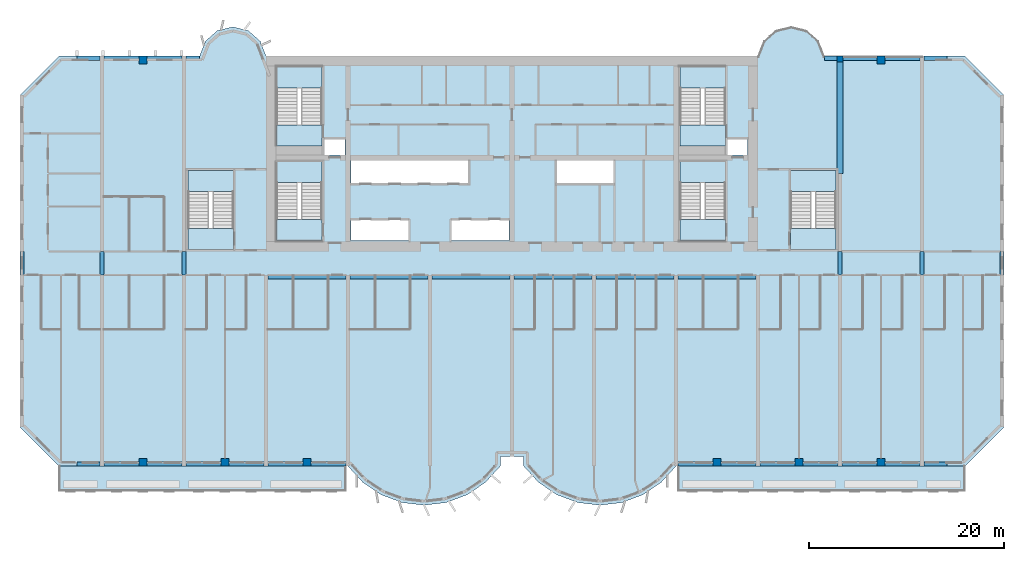
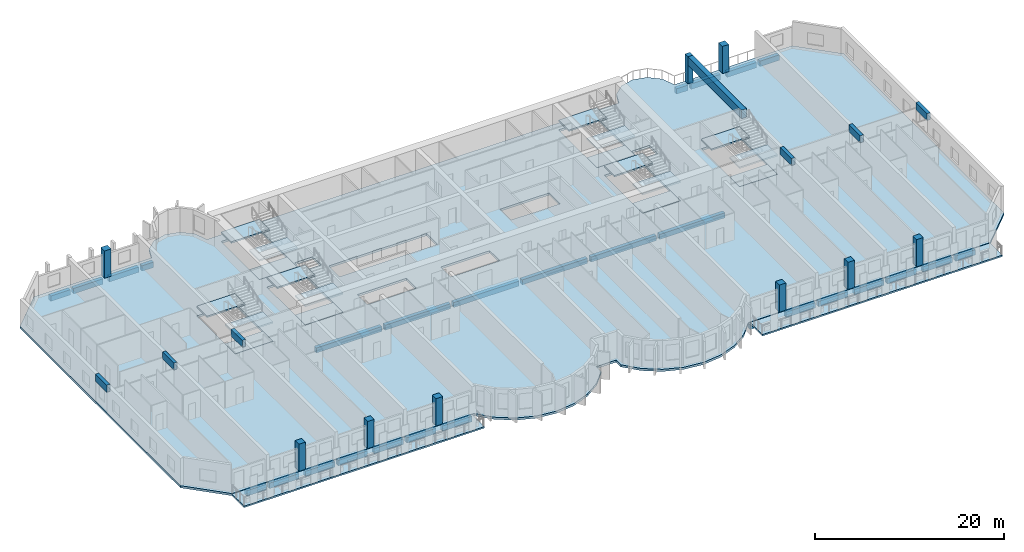
# One storey, part 1 of 14: 35 beams, 21 slabs, 9 columns, 6 elements without a shape of their own.
"""IFC4 building model written with IfcOpenShell, lengths in metres."""

from ifc_helpers import new_model, si_unit, direction, frame, origin, origin_2d, place, context, subcontext, project, spatial, polyline, rectangle, outline, extrude, source, transform, mapped, material, layer, layer_set, material_profile, profile_set, type_object, element, aggregate, save


model = new_model("IFC4")

# Units and contexts
model_context = context("Model", 3, precision=1e-05, world=origin(), true_north=direction((0.0, 1.0)))
body_context = subcontext(model_context, "Body", "Model", "MODEL_VIEW")
ifc_project = project(units=[si_unit("LENGTHUNIT", "METRE"), si_unit("AREAUNIT", "SQUARE_METRE"), si_unit("VOLUMEUNIT", "CUBIC_METRE"), si_unit("PLANEANGLEUNIT", "RADIAN"), si_unit("MASSUNIT", "GRAM", prefix="KILO")], contexts=[model_context])

# Site, building, storey
site_placement = place(None, origin())
site = spatial("IfcSite", under=ifc_project, at=site_placement, CompositionType="ELEMENT")
building_placement = place(site_placement, origin())
building = spatial("IfcBuilding", under=site, at=building_placement, Name="Vanashikhar Sky Hotel", CompositionType="ELEMENT")
storey_placement = place(building_placement, frame((0.0, 0.0, 58.199951171875)))
storey = spatial("IfcBuildingStorey", under=building, at=storey_placement, Name="L13", CompositionType="ELEMENT", Elevation=58.199951171875)

# Columns
ifc_material_1 = material(Name="Concrete M70", Category="concrete")
ifc_material_profile_1 = material_profile(ifc_material_1, rectangle(XDim=0.60009765625, YDim=0.60009765625, at=origin_2d()))
ifc_profile_set_1 = profile_set([ifc_material_profile_1], Name="RC 600x600 column Concrete M70")
column_type_1 = type_object("IfcColumnType", Name="RC 600x600 column Concrete M70", PredefinedType="COLUMN", material=ifc_profile_set_1)
shared_shape_1 = source(origin(), body_context, "Body", "SweptSolid", [
    extrude(rectangle(XDim=0.60009765625, YDim=0.60009765625, at=origin_2d()), origin(), (0.0, 0.0, 1.0), 3.52001953125),
])
column_placement = place(storey_placement, frame((84.0, 41.699951171875, 0.0), z_axis=(0.0, 0.0, 1.0), x_axis=(1.0, 0.0, 0.0)))
element("IfcColumn", 1, at=column_placement, inside=storey, type_object=column_type_1, Name="CL-L13-CRF", PredefinedType="COLUMN", context=body_context, shape_type="MappedRepresentation", body=[
    mapped(shared_shape_1, transform((0.0, 0.0, 0.0), scale=1.0)),
])
ifc_material_profile_2 = material_profile(ifc_material_1, rectangle(XDim=0.800048828125, YDim=0.800048828125, at=origin_2d()))
ifc_profile_set_2 = profile_set([ifc_material_profile_2], Name="RC 800x800 column Concrete M70")
column_type_2 = type_object("IfcColumnType", Name="RC 800x800 column Concrete M70", PredefinedType="COLUMN", material=ifc_profile_set_2)
shared_shape_2 = source(origin(), body_context, "Body", "SweptSolid", [
    extrude(rectangle(XDim=0.800048828125, YDim=0.800048828125, at=origin_2d()), origin(), (0.0, 0.0, 1.0), 3.52001953125),
])
for number, where, z_axis, x_axis, name in (
    (2, (12.60009765625, 0.39990234375, 0.0), (0.0, 0.0, 1.0), (1.0, 0.0, 0.0), "CL-L13-CF02"),
    (3, (21.0, 0.39990234375, 0.0), (0.0, 0.0, 1.0), (1.0, 0.0, 0.0), "CL-L13-CF03"),
    (4, (29.39990234375, 0.39990234375, 0.0), (0.0, 0.0, 1.0), (1.0, 0.0, 0.0), "CL-L13-CF04"),
    (5, (71.39990234375, 0.39990234375, 0.0), (0.0, 0.0, 1.0), (1.0, 0.0, 0.0), "CL-L13-CF09"),
    (6, (79.800048828125, 0.39990234375, 0.0), (0.0, 0.0, 1.0), (1.0, 0.0, 0.0), "CL-L13-CF10"),
    (7, (88.199951171875, 0.39990234375, 0.0), (0.0, 0.0, 1.0), (1.0, 0.0, 0.0), "CL-L13-CF11"),
    (8, (12.60009765625, 41.60009765625, 0.0), (0.0, 0.0, 1.0), (1.0, 0.0, 0.0), "CL-L13-CR02"),
    (9, (88.199951171875, 41.60009765625, 0.0), (0.0, 0.0, 1.0), (1.0, 0.0, 0.0), "CL-L13-CR11"),
):
    element("IfcColumn", number, at=place(storey_placement, frame(where, z_axis=z_axis, x_axis=x_axis)), inside=storey, type_object=column_type_2, Name=name, PredefinedType="COLUMN", context=body_context, shape_type="MappedRepresentation", body=[
        mapped(shared_shape_2, transform((0.0, 0.0, 0.0), scale=1.0)),
    ])

# Beams
ifc_material_2 = material(Name="Concrete M50", Category="concrete")
ifc_material_profile_3 = material_profile(ifc_material_2, rectangle(XDim=0.60009765625, YDim=1.10009765625, at=origin_2d()))
ifc_profile_set_3 = profile_set([ifc_material_profile_3], Name="RC 600x1100 beam Concrete M50")
beam_type_1 = type_object("IfcBeamType", Name="RC 600x1100 beam Concrete M50", PredefinedType="BEAM", material=ifc_profile_set_3)
shared_shape_3 = source(origin(), body_context, "Body", "SweptSolid", [
    extrude(rectangle(XDim=0.60009765625, YDim=1.10009765625, at=origin_2d()), origin(), (0.0, 0.0, 1.0), 11.39990234375),
])
beam_1_placement = place(storey_placement, frame((84.0, 30.0, 2.969970703125), z_axis=(0.0, 1.0, 0.0), x_axis=(-1.0, 0.0, 0.0)))
element("IfcBeam", 10, at=beam_1_placement, inside=storey, type_object=beam_type_1, Name="LB-L13-XW11-O1", PredefinedType="BEAM", context=body_context, shape_type="MappedRepresentation", body=[
    mapped(shared_shape_3, transform((0.0, 0.0, 0.0), scale=1.0)),
])
ifc_material_profile_4 = material_profile(ifc_material_2, rectangle(XDim=0.39990234375, YDim=0.89990234375, at=origin_2d()))
ifc_profile_set_4 = profile_set([ifc_material_profile_4], Name="RC 400x900 beam Concrete M50")
beam_type_2 = type_object("IfcBeamType", Name="RC 400x900 beam Concrete M50", PredefinedType="LINTEL", material=ifc_profile_set_4)
shared_shape_4 = source(origin(), body_context, "Body", "SweptSolid", [
    extrude(rectangle(XDim=0.39990234375, YDim=0.89990234375, at=origin_2d()), origin(), (0.0, 0.0, 1.0), 2.39990234375),
])
for number, where, z_axis, x_axis, name in (
    (11, (0.199951171875, 19.60009765625, 3.070068359375), (0.0, 1.0, 0.0), (-1.0, 0.0, 0.0), "LB-L13-XW01"),
    (12, (8.39990234375, 19.60009765625, 3.070068359375), (0.0, 1.0, 0.0), (-1.0, 0.0, 0.0), "LB-L13-XW02"),
    (13, (16.800048828125, 19.60009765625, 3.070068359375), (0.0, 1.0, 0.0), (-1.0, 0.0, 0.0), "LB-L13-XW03"),
    (14, (84.0, 19.60009765625, 3.070068359375), (0.0, 1.0, 0.0), (-1.0, 0.0, 0.0), "LB-L13-XW11"),
    (15, (92.39990234375, 19.60009765625, 3.070068359375), (0.0, 1.0, 0.0), (-1.0, 0.0, 0.0), "LB-L13-XW12"),
    (16, (100.60009765625, 19.60009765625, 3.070068359375), (0.0, 1.0, 0.0), (-1.0, 0.0, 0.0), "LB-L13-XW13"),
):
    element("IfcBeam", number, at=place(storey_placement, frame(where, z_axis=z_axis, x_axis=x_axis)), inside=storey, type_object=beam_type_2, Name=name, PredefinedType="LINTEL", context=body_context, shape_type="MappedRepresentation", body=[
        mapped(shared_shape_4, transform((0.0, 0.0, 0.0), scale=1.0)),
    ])
ifc_material_profile_5 = material_profile(ifc_material_2, rectangle(XDim=0.449951171875, YDim=0.699951171875, at=origin_2d()))
ifc_profile_set_5 = profile_set([ifc_material_profile_5], Name="RC 450x700 beam Concrete M50")
beam_type_3 = type_object("IfcBeamType", Name="RC 450x700 beam Concrete M50", PredefinedType="BEAM", material=ifc_profile_set_5)
shared_shape_5 = source(origin(), body_context, "Body", "SweptSolid", [
    extrude(rectangle(XDim=0.449951171875, YDim=0.699951171875, at=origin_2d()), origin(), (0.0, 0.0, 1.0), 3.599853515625),
])
for number, where, z_axis, x_axis, name in (
    (17, (8.60009765625, 0.22509765625, -0.6298828125), (1.0, 0.0, 0.0), (0.0, 1.0, 0.0), "EB-L13-F01"),
    (18, (29.800048828125, 0.22509765625, -0.6298828125), (1.0, 0.0, 0.0), (0.0, 1.0, 0.0), "EB-L13-F06"),
    (19, (71.800048828125, 0.22509765625, -0.6298828125), (1.0, 0.0, 0.0), (0.0, 1.0, 0.0), "EB-L13-F09"),
    (20, (75.800048828125, 0.22509765625, -0.6298828125), (1.0, 0.0, 0.0), (0.0, 1.0, 0.0), "EB-L13-F10"),
    (21, (88.60009765625, 0.22509765625, -0.6298828125), (1.0, 0.0, 0.0), (0.0, 1.0, 0.0), "EB-L13-F13"),
    (22, (8.60009765625, 41.77490234375, -0.6298828125), (1.0, 0.0, 0.0), (0.0, 1.0, 0.0), "EB-L13-R01"),
    (23, (88.60009765625, 41.77490234375, -0.6298828125), (1.0, 0.0, 0.0), (0.0, 1.0, 0.0), "EB-L13-R06"),
):
    element("IfcBeam", number, at=place(storey_placement, frame(where, z_axis=z_axis, x_axis=x_axis)), inside=storey, type_object=beam_type_3, Name=name, PredefinedType="BEAM", context=body_context, shape_type="MappedRepresentation", body=[
        mapped(shared_shape_5, transform((0.0, 0.0, 0.0), scale=1.0)),
    ])
shared_shape_6 = source(origin(), body_context, "Body", "SweptSolid", [
    extrude(rectangle(XDim=0.449951171875, YDim=0.699951171875, at=origin_2d()), origin(), (0.0, 0.0, 1.0), 3.60009765625),
])
for number, where, z_axis, x_axis, name in (
    (24, (13.0, 0.22509765625, -0.6298828125), (1.0, 0.0, 0.0), (0.0, 1.0, 0.0), "EB-L13-F02"),
    (25, (17.0, 0.22509765625, -0.6298828125), (1.0, 0.0, 0.0), (0.0, 1.0, 0.0), "EB-L13-F03"),
    (26, (21.39990234375, 0.22509765625, -0.6298828125), (1.0, 0.0, 0.0), (0.0, 1.0, 0.0), "EB-L13-F04"),
    (27, (25.39990234375, 0.22509765625, -0.6298828125), (1.0, 0.0, 0.0), (0.0, 1.0, 0.0), "EB-L13-F05"),
    (28, (67.39990234375, 0.22509765625, -0.6298828125), (1.0, 0.0, 0.0), (0.0, 1.0, 0.0), "EB-L13-F08"),
    (29, (80.199951171875, 0.22509765625, -0.6298828125), (1.0, 0.0, 0.0), (0.0, 1.0, 0.0), "EB-L13-F11"),
    (30, (84.199951171875, 0.22509765625, -0.6298828125), (1.0, 0.0, 0.0), (0.0, 1.0, 0.0), "EB-L13-F12"),
    (31, (13.0, 41.77490234375, -0.6298828125), (1.0, 0.0, 0.0), (0.0, 1.0, 0.0), "EB-L13-R02"),
    (32, (84.199951171875, 41.77490234375, -0.6298828125), (1.0, 0.0, 0.0), (0.0, 1.0, 0.0), "EB-L13-R05"),
):
    element("IfcBeam", number, at=place(storey_placement, frame(where, z_axis=z_axis, x_axis=x_axis)), inside=storey, type_object=beam_type_3, Name=name, PredefinedType="BEAM", context=body_context, shape_type="MappedRepresentation", body=[
        mapped(shared_shape_6, transform((0.0, 0.0, 0.0), scale=1.0)),
    ])
ifc_material_profile_6 = material_profile(ifc_material_2, rectangle(XDim=0.449951171875, YDim=0.699951171875, at=origin_2d()))
ifc_profile_set_6 = profile_set([ifc_material_profile_6], Name="RC 450x700 cantilever beam Concrete M50")
beam_type_4 = type_object("IfcBeamType", Name="RC 450x700 cantilever beam Concrete M50", PredefinedType="SPANDREL", material=ifc_profile_set_6)
shared_shape_7 = source(origin(), body_context, "Body", "SweptSolid", [
    extrude(rectangle(XDim=0.449951171875, YDim=0.699951171875, at=origin_2d()), origin(), (0.0, 0.0, 1.0), 2.3798828125),
])
for number, where, z_axis, x_axis, name in (
    (33, (5.820068359375, 0.22509765625, -0.6298828125), (1.0, 0.0, 0.0), (0.0, 1.0, 0.0), "EB-L13-F07"),
    (34, (92.60009765625, 0.22509765625, -0.6298828125), (1.0, 0.0, 0.0), (0.0, 1.0, 0.0), "EB-L13-F14"),
    (35, (5.820068359375, 41.77490234375, -0.6298828125), (1.0, 0.0, 0.0), (0.0, 1.0, 0.0), "EB-L13-R03"),
    (36, (92.60009765625, 41.77490234375, -0.6298828125), (1.0, 0.0, 0.0), (0.0, 1.0, 0.0), "EB-L13-R08"),
):
    element("IfcBeam", number, at=place(storey_placement, frame(where, z_axis=z_axis, x_axis=x_axis)), inside=storey, type_object=beam_type_4, Name=name, PredefinedType="SPANDREL", context=body_context, shape_type="MappedRepresentation", body=[
        mapped(shared_shape_7, transform((0.0, 0.0, 0.0), scale=1.0)),
    ])
shared_shape_8 = source(origin(), body_context, "Body", "SweptSolid", [
    extrude(rectangle(XDim=0.449951171875, YDim=0.699951171875, at=origin_2d()), origin(), (0.0, 0.0, 1.0), 1.39990234375),
])
beam_2_placement = place(storey_placement, frame((17.0, 41.77490234375, -0.6298828125), z_axis=(1.0, 0.0, 0.0), x_axis=(0.0, 1.0, 0.0)))
element("IfcBeam", 37, at=beam_2_placement, inside=storey, type_object=beam_type_4, Name="EB-L13-R04", PredefinedType="SPANDREL", context=body_context, shape_type="MappedRepresentation", body=[
    mapped(shared_shape_8, transform((0.0, 0.0, 0.0), scale=1.0)),
])
shared_shape_9 = source(origin(), body_context, "Body", "SweptSolid", [
    extrude(rectangle(XDim=0.449951171875, YDim=0.699951171875, at=origin_2d()), origin(), (0.0, 0.0, 1.0), 1.400146484375),
])
beam_3_placement = place(storey_placement, frame((82.39990234375, 41.77490234375, -0.6298828125), z_axis=(1.0, 0.0, 0.0), x_axis=(0.0, 1.0, 0.0)))
element("IfcBeam", 38, at=beam_3_placement, inside=storey, type_object=beam_type_4, Name="EB-L13-R07", PredefinedType="SPANDREL", context=body_context, shape_type="MappedRepresentation", body=[
    mapped(shared_shape_9, transform((0.0, 0.0, 0.0), scale=1.0)),
])
ifc_material_profile_7 = material_profile(ifc_material_2, rectangle(XDim=0.449951171875, YDim=0.64990234375, at=origin_2d()))
ifc_profile_set_7 = profile_set([ifc_material_profile_7], Name="RC 450x650 beam Concrete M50")
beam_type_5 = type_object("IfcBeamType", Name="RC 450x650 beam Concrete M50", PredefinedType="BEAM", material=ifc_profile_set_7)
shared_shape_10 = source(origin(), body_context, "Body", "SweptSolid", [
    extrude(rectangle(XDim=0.449951171875, YDim=0.64990234375, at=origin_2d()), origin(), (0.0, 0.0, 1.0), 8.0),
])
for number, where, z_axis, x_axis, name in (
    (39, (25.39990234375, 19.375, -0.60498046875), (1.0, 0.0, 0.0), (0.0, 1.0, 0.0), "CB-L13-01"),
    (40, (33.800048828125, 19.375, -0.60498046875), (1.0, 0.0, 0.0), (0.0, 1.0, 0.0), "CB-L13-02"),
    (41, (42.199951171875, 19.375, -0.60498046875), (1.0, 0.0, 0.0), (0.0, 1.0, 0.0), "CB-L13-03"),
    (42, (50.60009765625, 19.375, -0.60498046875), (1.0, 0.0, 0.0), (0.0, 1.0, 0.0), "CB-L13-04"),
    (43, (59.0, 19.375, -0.60498046875), (1.0, 0.0, 0.0), (0.0, 1.0, 0.0), "CB-L13-05"),
    (44, (67.39990234375, 19.375, -0.60498046875), (1.0, 0.0, 0.0), (0.0, 1.0, 0.0), "CB-L13-06"),
):
    element("IfcBeam", number, at=place(storey_placement, frame(where, z_axis=z_axis, x_axis=x_axis)), inside=storey, type_object=beam_type_5, Name=name, PredefinedType="BEAM", context=body_context, shape_type="MappedRepresentation", body=[
        mapped(shared_shape_10, transform((0.0, 0.0, 0.0), scale=1.0)),
    ])

# Slabs
ifc_material_3 = material(Name="Concrete M40", Category="concrete")
ifc_layer_1 = layer(ifc_material_3, 0.280029296875)
ifc_layer_set_1 = layer_set([ifc_layer_1], Name="Floor slab 280 mm")
slab_type_1 = type_object("IfcSlabType", Name="Floor slab 280 mm", PredefinedType="FLOOR", material=ifc_layer_set_1)
shared_shape_11 = source(origin(), body_context, "Body", "SweptSolid", [
    extrude(outline(polyline([(49.199951171875, 0.0), (49.199951171875, 1.0), (51.60009765625, 1.0), (51.60009765625, 0.0), (53.133056640625, -1.674072265625), (55.01708984375, -2.94189453125), (57.14599609375, -3.73193359375), (59.39990234375, -4.0), (61.654052734375, -3.73193359375), (63.782958984375, -2.94189453125), (65.6669921875, -1.674072265625), (67.199951171875, 0.0), (96.800048828125, 0.0), (100.800048828125, 4.0), (100.800048828125, 38.0), (96.800048828125, 42.0), (82.39990234375, 42.0), (81.81494140625, 43.527099609375), (80.587890625, 44.610107421875), (79.0, 45.0), (77.412109375, 44.610107421875), (76.18505859375, 43.527099609375), (75.60009765625, 42.0), (25.199951171875, 42.0), (24.614990234375, 43.527099609375), (23.387939453125, 44.610107421875), (21.800048828125, 45.0), (20.2119140625, 44.610107421875), (18.985107421875, 43.527099609375), (18.39990234375, 42.0), (4.0, 42.0), (0.0, 38.0), (0.0, 4.0), (4.0, 0.0), (33.60009765625, 0.0), (35.133056640625, -1.674072265625), (37.01708984375, -2.94189453125), (39.14599609375, -3.73193359375), (41.39990234375, -4.0), (43.654052734375, -3.73193359375), (45.782958984375, -2.94189453125), (47.6669921875, -1.674072265625), (49.199951171875, 0.0)]), holes=[polyline([(33.300048828125, 33.60009765625), (31.050048828125, 33.60009765625), (31.050048828125, 31.89990234375), (33.300048828125, 31.89990234375), (33.300048828125, 33.60009765625)]), polyline([(33.89990234375, 25.199951171875), (33.89990234375, 23.10009765625), (39.89990234375, 23.10009765625), (39.89990234375, 25.199951171875), (33.89990234375, 25.199951171875)]), polyline([(33.89990234375, 31.300048828125), (33.89990234375, 29.0), (45.89990234375, 29.0), (45.89990234375, 31.300048828125), (33.89990234375, 31.300048828125)]), polyline([(44.10009765625, 25.199951171875), (44.10009765625, 23.10009765625), (50.10009765625, 23.10009765625), (50.10009765625, 25.199951171875), (44.10009765625, 25.199951171875)]), polyline([(54.89990234375, 31.300048828125), (54.89990234375, 29.0), (60.89990234375, 29.0), (60.89990234375, 31.300048828125), (54.89990234375, 31.300048828125)]), polyline([(74.5, 33.60009765625), (72.35009765625, 33.60009765625), (72.35009765625, 31.89990234375), (74.5, 31.89990234375), (74.5, 33.60009765625)]), polyline([(30.949951171875, 23.10009765625), (30.949951171875, 31.199951171875), (26.300048828125, 31.199951171875), (26.300048828125, 23.10009765625), (30.949951171875, 23.10009765625)]), polyline([(72.25, 23.10009765625), (72.25, 31.199951171875), (67.60009765625, 31.199951171875), (67.60009765625, 23.10009765625), (72.25, 23.10009765625)]), polyline([(30.949951171875, 32.800048828125), (30.949951171875, 40.89990234375), (26.300048828125, 40.89990234375), (26.300048828125, 32.800048828125), (30.949951171875, 32.800048828125)]), polyline([(72.25, 32.800048828125), (72.25, 40.89990234375), (67.60009765625, 40.89990234375), (67.60009765625, 32.800048828125), (72.25, 32.800048828125)]), polyline([(83.60009765625, 22.199951171875), (83.60009765625, 30.300048828125), (78.949951171875, 30.300048828125), (78.949951171875, 22.199951171875), (83.60009765625, 22.199951171875)]), polyline([(21.85009765625, 22.199951171875), (21.85009765625, 30.300048828125), (17.199951171875, 30.300048828125), (17.199951171875, 22.199951171875), (21.85009765625, 22.199951171875)])]), origin(), (0.0, 0.0, 1.0), 0.280029296875),
])
slab_1_placement = place(storey_placement, frame((0.0, 0.0, -0.280029296875)))
element("IfcSlab", 45, at=slab_1_placement, inside=storey, type_object=slab_type_1, Name="Floor slab L13", PredefinedType="FLOOR", context=body_context, shape_type="MappedRepresentation", body=[
    mapped(shared_shape_11, transform((0.0, 0.0, 0.0), scale=1.0)),
])
ifc_layer_2 = layer(ifc_material_3, 0.199951171875)
ifc_layer_set_2 = layer_set([ifc_layer_2], Name="Balcony slab 200 mm")
slab_type_2 = type_object("IfcSlabType", Name="Balcony slab 200 mm", PredefinedType="USERDEFINED", material=ifc_layer_set_2)
shared_shape_12 = source(origin(), body_context, "Body", "SweptSolid", [
    extrude(outline(polyline([(4.0, -2.60009765625), (33.39990234375, -2.60009765625), (33.39990234375, 0.0), (4.0, 0.0), (4.0, -2.60009765625)])), origin(), (0.0, 0.0, 1.0), 0.199951171875),
])
slab_2_placement = place(storey_placement, frame((0.0, 0.0, -0.25)))
element("IfcSlab", 46, at=slab_2_placement, inside=storey, type_object=slab_type_2, Name="Balcony slab L13 1", ObjectType="BALCONY", PredefinedType="USERDEFINED", context=body_context, shape_type="MappedRepresentation", body=[
    mapped(shared_shape_12, transform((0.0, 0.0, 0.0), scale=1.0)),
])
shared_shape_13 = source(origin(), body_context, "Body", "SweptSolid", [
    extrude(outline(polyline([(67.39990234375, -2.60009765625), (96.800048828125, -2.60009765625), (96.800048828125, 0.0), (67.39990234375, 0.0), (67.39990234375, -2.60009765625)])), origin(), (0.0, 0.0, 1.0), 0.199951171875),
])
slab_3_placement = place(storey_placement, frame((0.0, 0.0, -0.25)))
element("IfcSlab", 47, at=slab_3_placement, inside=storey, type_object=slab_type_2, Name="Balcony slab L13 2", ObjectType="BALCONY", PredefinedType="USERDEFINED", context=body_context, shape_type="MappedRepresentation", body=[
    mapped(shared_shape_13, transform((0.0, 0.0, 0.0), scale=1.0)),
])

# Stair, slabs
stair_type = type_object("IfcStairType", Name="Exit stair 2150", PredefinedType="DOUBLE_RETURN_STAIR", material=ifc_material_3)
stair_1_placement = place(storey_placement, origin())
stair_1 = element("IfcStair", 48, at=stair_1_placement, inside=storey, type_object=stair_type, Name="L13 Exit stair 1", PredefinedType="DOUBLE_RETURN_STAIR")
ifc_layer_3 = layer(ifc_material_3, 0.199951171875)
ifc_layer_set_3 = layer_set([ifc_layer_3], Name="Stair landing 200")
slab_type_3 = type_object("IfcSlabType", Name="Stair landing 200", PredefinedType="LANDING", material=ifc_layer_set_3)
shared_shape_14 = source(origin(), body_context, "Body", "SweptSolid", [
    extrude(outline(polyline([(30.949951171875, 29.050048828125), (30.949951171875, 31.199951171875), (26.300048828125, 31.199951171875), (26.300048828125, 29.050048828125), (30.949951171875, 29.050048828125)])), origin(), (0.0, 0.0, 1.0), 0.199951171875),
])
slab_4_placement = place(storey_placement, frame((0.0, 0.0, 1.066650390625)))
slab_4 = element("IfcSlab", 49, at=slab_4_placement, type_object=slab_type_3, Name="ST-C1 landing 1", PredefinedType="LANDING", context=body_context, shape_type="MappedRepresentation", body=[
    mapped(shared_shape_14, transform((0.0, 0.0, 0.0), scale=1.0)),
])
shared_shape_15 = source(origin(), body_context, "Body", "SweptSolid", [
    extrude(outline(polyline([(30.949951171875, 23.10009765625), (30.949951171875, 25.25), (26.300048828125, 25.25), (26.300048828125, 23.10009765625), (30.949951171875, 23.10009765625)])), origin(), (0.0, 0.0, 1.0), 0.199951171875),
])
slab_5_placement = place(storey_placement, frame((0.0, 0.0, 2.33349609375)))
slab_5 = element("IfcSlab", 50, at=slab_5_placement, type_object=slab_type_3, Name="ST-C1 landing 2", PredefinedType="LANDING", context=body_context, shape_type="MappedRepresentation", body=[
    mapped(shared_shape_15, transform((0.0, 0.0, 0.0), scale=1.0)),
])
aggregate(stair_1, [slab_4, slab_5])

# Slab
ifc_layer_4 = layer(ifc_material_3, 0.280029296875)
ifc_layer_set_4 = layer_set([ifc_layer_4], Name="Stair floor landing 280")
slab_type_4 = type_object("IfcSlabType", Name="Stair floor landing 280", PredefinedType="LANDING", material=ifc_layer_set_4)
shared_shape_16 = source(origin(), body_context, "Body", "SweptSolid", [
    extrude(outline(polyline([(30.949951171875, 23.10009765625), (30.949951171875, 25.25), (26.300048828125, 25.25), (26.300048828125, 23.10009765625), (30.949951171875, 23.10009765625)])), origin(), (0.0, 0.0, 1.0), 0.280029296875),
])
slab_6_placement = place(storey_placement, frame((0.0, 0.0, -0.280029296875)))
element("IfcSlab", 51, at=slab_6_placement, inside=storey, type_object=slab_type_4, Name="Exit stair 1 floor landing", PredefinedType="LANDING", context=body_context, shape_type="MappedRepresentation", body=[
    mapped(shared_shape_16, transform((0.0, 0.0, 0.0), scale=1.0)),
])

# Stair, slabs
stair_2_placement = place(storey_placement, origin())
stair_2 = element("IfcStair", 52, at=stair_2_placement, inside=storey, type_object=stair_type, Name="L13 Exit stair 2", PredefinedType="DOUBLE_RETURN_STAIR")
shared_shape_17 = source(origin(), body_context, "Body", "SweptSolid", [
    extrude(outline(polyline([(72.25, 29.050048828125), (72.25, 31.199951171875), (67.60009765625, 31.199951171875), (67.60009765625, 29.050048828125), (72.25, 29.050048828125)])), origin(), (0.0, 0.0, 1.0), 0.199951171875),
])
slab_7_placement = place(storey_placement, frame((0.0, 0.0, 1.066650390625)))
slab_7 = element("IfcSlab", 53, at=slab_7_placement, type_object=slab_type_3, Name="ST-C2 landing 1", PredefinedType="LANDING", context=body_context, shape_type="MappedRepresentation", body=[
    mapped(shared_shape_17, transform((0.0, 0.0, 0.0), scale=1.0)),
])
shared_shape_18 = source(origin(), body_context, "Body", "SweptSolid", [
    extrude(outline(polyline([(72.25, 23.10009765625), (72.25, 25.25), (67.60009765625, 25.25), (67.60009765625, 23.10009765625), (72.25, 23.10009765625)])), origin(), (0.0, 0.0, 1.0), 0.199951171875),
])
slab_8_placement = place(storey_placement, frame((0.0, 0.0, 2.33349609375)))
slab_8 = element("IfcSlab", 54, at=slab_8_placement, type_object=slab_type_3, Name="ST-C2 landing 2", PredefinedType="LANDING", context=body_context, shape_type="MappedRepresentation", body=[
    mapped(shared_shape_18, transform((0.0, 0.0, 0.0), scale=1.0)),
])
aggregate(stair_2, [slab_7, slab_8])

# Slab
shared_shape_19 = source(origin(), body_context, "Body", "SweptSolid", [
    extrude(outline(polyline([(72.25, 23.10009765625), (72.25, 25.25), (67.60009765625, 25.25), (67.60009765625, 23.10009765625), (72.25, 23.10009765625)])), origin(), (0.0, 0.0, 1.0), 0.280029296875),
])
slab_9_placement = place(storey_placement, frame((0.0, 0.0, -0.280029296875)))
element("IfcSlab", 55, at=slab_9_placement, inside=storey, type_object=slab_type_4, Name="Exit stair 2 floor landing", PredefinedType="LANDING", context=body_context, shape_type="MappedRepresentation", body=[
    mapped(shared_shape_19, transform((0.0, 0.0, 0.0), scale=1.0)),
])

# Stair, slabs
stair_3_placement = place(storey_placement, origin())
stair_3 = element("IfcStair", 56, at=stair_3_placement, inside=storey, type_object=stair_type, Name="L13 Exit stair 3", PredefinedType="DOUBLE_RETURN_STAIR")
shared_shape_20 = source(origin(), body_context, "Body", "SweptSolid", [
    extrude(outline(polyline([(21.85009765625, 28.14990234375), (21.85009765625, 30.300048828125), (17.199951171875, 30.300048828125), (17.199951171875, 28.14990234375), (21.85009765625, 28.14990234375)])), origin(), (0.0, 0.0, 1.0), 0.199951171875),
])
slab_10_placement = place(storey_placement, frame((0.0, 0.0, 1.066650390625)))
slab_10 = element("IfcSlab", 57, at=slab_10_placement, type_object=slab_type_3, Name="ST-W landing 1", PredefinedType="LANDING", context=body_context, shape_type="MappedRepresentation", body=[
    mapped(shared_shape_20, transform((0.0, 0.0, 0.0), scale=1.0)),
])
shared_shape_21 = source(origin(), body_context, "Body", "SweptSolid", [
    extrude(outline(polyline([(21.85009765625, 22.199951171875), (21.85009765625, 24.35009765625), (17.199951171875, 24.35009765625), (17.199951171875, 22.199951171875), (21.85009765625, 22.199951171875)])), origin(), (0.0, 0.0, 1.0), 0.199951171875),
])
slab_11_placement = place(storey_placement, frame((0.0, 0.0, 2.33349609375)))
slab_11 = element("IfcSlab", 58, at=slab_11_placement, type_object=slab_type_3, Name="ST-W landing 2", PredefinedType="LANDING", context=body_context, shape_type="MappedRepresentation", body=[
    mapped(shared_shape_21, transform((0.0, 0.0, 0.0), scale=1.0)),
])
aggregate(stair_3, [slab_10, slab_11])

# Slab
shared_shape_22 = source(origin(), body_context, "Body", "SweptSolid", [
    extrude(outline(polyline([(21.85009765625, 22.199951171875), (21.85009765625, 24.35009765625), (17.199951171875, 24.35009765625), (17.199951171875, 22.199951171875), (21.85009765625, 22.199951171875)])), origin(), (0.0, 0.0, 1.0), 0.280029296875),
])
slab_12_placement = place(storey_placement, frame((0.0, 0.0, -0.280029296875)))
element("IfcSlab", 59, at=slab_12_placement, inside=storey, type_object=slab_type_4, Name="Exit stair 3 floor landing", PredefinedType="LANDING", context=body_context, shape_type="MappedRepresentation", body=[
    mapped(shared_shape_22, transform((0.0, 0.0, 0.0), scale=1.0)),
])

# Stair, slabs
stair_4_placement = place(storey_placement, origin())
stair_4 = element("IfcStair", 60, at=stair_4_placement, inside=storey, type_object=stair_type, Name="L13 Exit stair 4", PredefinedType="DOUBLE_RETURN_STAIR")
shared_shape_23 = source(origin(), body_context, "Body", "SweptSolid", [
    extrude(outline(polyline([(83.60009765625, 28.14990234375), (83.60009765625, 30.300048828125), (78.949951171875, 30.300048828125), (78.949951171875, 28.14990234375), (83.60009765625, 28.14990234375)])), origin(), (0.0, 0.0, 1.0), 0.199951171875),
])
slab_13_placement = place(storey_placement, frame((0.0, 0.0, 1.066650390625)))
slab_13 = element("IfcSlab", 61, at=slab_13_placement, type_object=slab_type_3, Name="ST-E landing 1", PredefinedType="LANDING", context=body_context, shape_type="MappedRepresentation", body=[
    mapped(shared_shape_23, transform((0.0, 0.0, 0.0), scale=1.0)),
])
shared_shape_24 = source(origin(), body_context, "Body", "SweptSolid", [
    extrude(outline(polyline([(83.60009765625, 22.199951171875), (83.60009765625, 24.35009765625), (78.949951171875, 24.35009765625), (78.949951171875, 22.199951171875), (83.60009765625, 22.199951171875)])), origin(), (0.0, 0.0, 1.0), 0.199951171875),
])
slab_14_placement = place(storey_placement, frame((0.0, 0.0, 2.33349609375)))
slab_14 = element("IfcSlab", 62, at=slab_14_placement, type_object=slab_type_3, Name="ST-E landing 2", PredefinedType="LANDING", context=body_context, shape_type="MappedRepresentation", body=[
    mapped(shared_shape_24, transform((0.0, 0.0, 0.0), scale=1.0)),
])
aggregate(stair_4, [slab_13, slab_14])

# Slab
shared_shape_25 = source(origin(), body_context, "Body", "SweptSolid", [
    extrude(outline(polyline([(83.60009765625, 22.199951171875), (83.60009765625, 24.35009765625), (78.949951171875, 24.35009765625), (78.949951171875, 22.199951171875), (83.60009765625, 22.199951171875)])), origin(), (0.0, 0.0, 1.0), 0.280029296875),
])
slab_15_placement = place(storey_placement, frame((0.0, 0.0, -0.280029296875)))
element("IfcSlab", 63, at=slab_15_placement, inside=storey, type_object=slab_type_4, Name="Exit stair 4 floor landing", PredefinedType="LANDING", context=body_context, shape_type="MappedRepresentation", body=[
    mapped(shared_shape_25, transform((0.0, 0.0, 0.0), scale=1.0)),
])

# Stair, slabs
stair_5_placement = place(storey_placement, origin())
stair_5 = element("IfcStair", 64, at=stair_5_placement, inside=storey, type_object=stair_type, Name="L13 Exit stair 5", PredefinedType="DOUBLE_RETURN_STAIR")
shared_shape_26 = source(origin(), body_context, "Body", "SweptSolid", [
    extrude(outline(polyline([(30.949951171875, 38.75), (30.949951171875, 40.89990234375), (26.300048828125, 40.89990234375), (26.300048828125, 38.75), (30.949951171875, 38.75)])), origin(), (0.0, 0.0, 1.0), 0.199951171875),
])
slab_16_placement = place(storey_placement, frame((0.0, 0.0, 1.066650390625)))
slab_16 = element("IfcSlab", 65, at=slab_16_placement, type_object=slab_type_3, Name="ST-C3 landing 1", PredefinedType="LANDING", context=body_context, shape_type="MappedRepresentation", body=[
    mapped(shared_shape_26, transform((0.0, 0.0, 0.0), scale=1.0)),
])
shared_shape_27 = source(origin(), body_context, "Body", "SweptSolid", [
    extrude(outline(polyline([(30.949951171875, 32.800048828125), (30.949951171875, 34.949951171875), (26.300048828125, 34.949951171875), (26.300048828125, 32.800048828125), (30.949951171875, 32.800048828125)])), origin(), (0.0, 0.0, 1.0), 0.199951171875),
])
slab_17_placement = place(storey_placement, frame((0.0, 0.0, 2.33349609375)))
slab_17 = element("IfcSlab", 66, at=slab_17_placement, type_object=slab_type_3, Name="ST-C3 landing 2", PredefinedType="LANDING", context=body_context, shape_type="MappedRepresentation", body=[
    mapped(shared_shape_27, transform((0.0, 0.0, 0.0), scale=1.0)),
])
aggregate(stair_5, [slab_16, slab_17])

# Slab
shared_shape_28 = source(origin(), body_context, "Body", "SweptSolid", [
    extrude(outline(polyline([(30.949951171875, 32.800048828125), (30.949951171875, 34.949951171875), (26.300048828125, 34.949951171875), (26.300048828125, 32.800048828125), (30.949951171875, 32.800048828125)])), origin(), (0.0, 0.0, 1.0), 0.280029296875),
])
slab_18_placement = place(storey_placement, frame((0.0, 0.0, -0.280029296875)))
element("IfcSlab", 67, at=slab_18_placement, inside=storey, type_object=slab_type_4, Name="Exit stair 5 floor landing", PredefinedType="LANDING", context=body_context, shape_type="MappedRepresentation", body=[
    mapped(shared_shape_28, transform((0.0, 0.0, 0.0), scale=1.0)),
])

# Stair, slabs
stair_6_placement = place(storey_placement, origin())
stair_6 = element("IfcStair", 68, at=stair_6_placement, inside=storey, type_object=stair_type, Name="L13 Exit stair 6", PredefinedType="DOUBLE_RETURN_STAIR")
shared_shape_29 = source(origin(), body_context, "Body", "SweptSolid", [
    extrude(outline(polyline([(72.25, 38.75), (72.25, 40.89990234375), (67.60009765625, 40.89990234375), (67.60009765625, 38.75), (72.25, 38.75)])), origin(), (0.0, 0.0, 1.0), 0.199951171875),
])
slab_19_placement = place(storey_placement, frame((0.0, 0.0, 1.066650390625)))
slab_19 = element("IfcSlab", 69, at=slab_19_placement, type_object=slab_type_3, Name="ST-C4 landing 1", PredefinedType="LANDING", context=body_context, shape_type="MappedRepresentation", body=[
    mapped(shared_shape_29, transform((0.0, 0.0, 0.0), scale=1.0)),
])
shared_shape_30 = source(origin(), body_context, "Body", "SweptSolid", [
    extrude(outline(polyline([(72.25, 32.800048828125), (72.25, 34.949951171875), (67.60009765625, 34.949951171875), (67.60009765625, 32.800048828125), (72.25, 32.800048828125)])), origin(), (0.0, 0.0, 1.0), 0.199951171875),
])
slab_20_placement = place(storey_placement, frame((0.0, 0.0, 2.33349609375)))
slab_20 = element("IfcSlab", 70, at=slab_20_placement, type_object=slab_type_3, Name="ST-C4 landing 2", PredefinedType="LANDING", context=body_context, shape_type="MappedRepresentation", body=[
    mapped(shared_shape_30, transform((0.0, 0.0, 0.0), scale=1.0)),
])
aggregate(stair_6, [slab_19, slab_20])

# Slab
shared_shape_31 = source(origin(), body_context, "Body", "SweptSolid", [
    extrude(outline(polyline([(72.25, 32.800048828125), (72.25, 34.949951171875), (67.60009765625, 34.949951171875), (67.60009765625, 32.800048828125), (72.25, 32.800048828125)])), origin(), (0.0, 0.0, 1.0), 0.280029296875),
])
slab_21_placement = place(storey_placement, frame((0.0, 0.0, -0.280029296875)))
element("IfcSlab", 71, at=slab_21_placement, inside=storey, type_object=slab_type_4, Name="Exit stair 6 floor landing", PredefinedType="LANDING", context=body_context, shape_type="MappedRepresentation", body=[
    mapped(shared_shape_31, transform((0.0, 0.0, 0.0), scale=1.0)),
])

save(model, "model.ifc")
